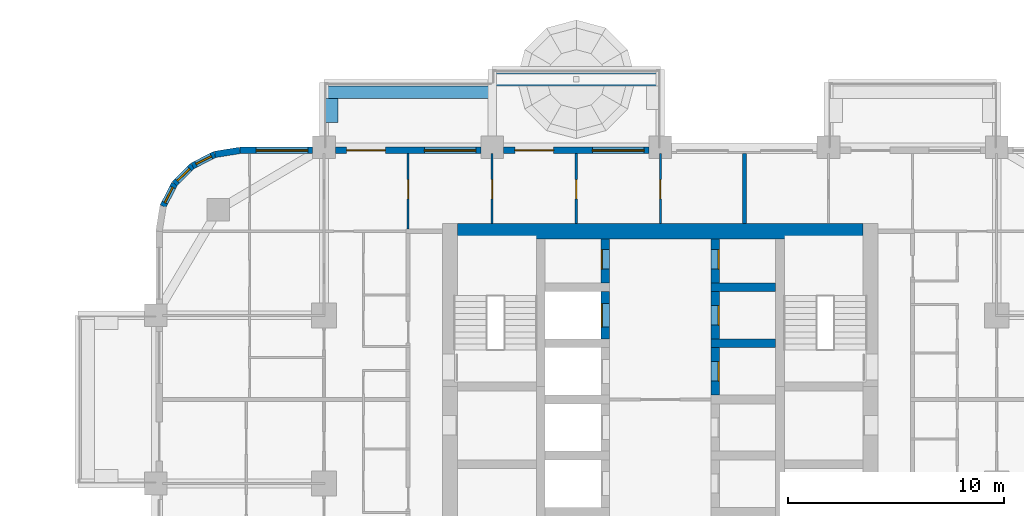
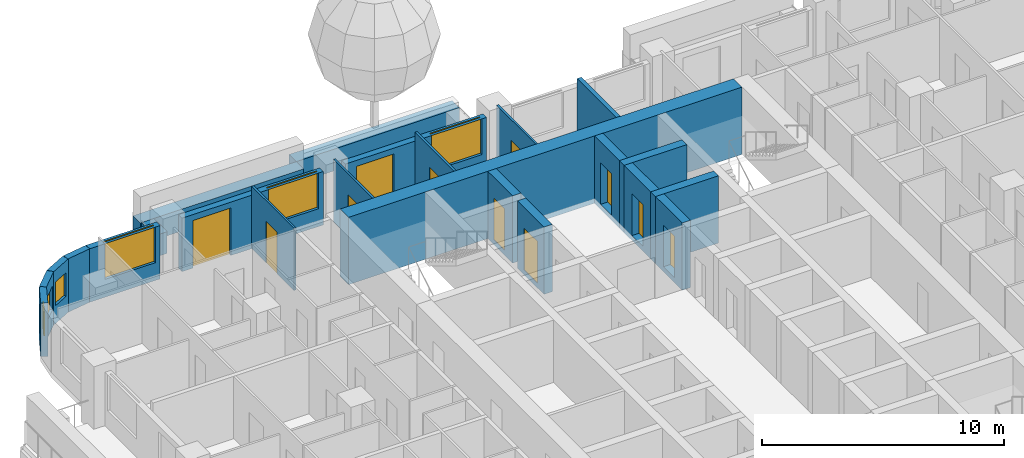
# One storey, part 11 of 18: 23 walls, 11 doors, 6 windows, 17 openings.
"""IFC4 building model written with IfcOpenShell, lengths in metres."""

from ifc_helpers import new_model, si_unit, direction, frame, frame_2d, origin, place, context, subcontext, project, spatial, rectangle, extrude, material, layer, layer_set, type_object, element, fill, save


model = new_model("IFC4")

# Units and contexts
model_context = context("Model", 3, precision=1e-05, world=origin(), true_north=direction((0.0, 1.0)))
body_context = subcontext(model_context, "Body", "Model", "MODEL_VIEW")
ifc_project = project(units=[si_unit("LENGTHUNIT", "METRE"), si_unit("AREAUNIT", "SQUARE_METRE"), si_unit("VOLUMEUNIT", "CUBIC_METRE"), si_unit("PLANEANGLEUNIT", "RADIAN"), si_unit("MASSUNIT", "GRAM", prefix="KILO")], contexts=[model_context])

# Site, building, storey
site_placement = place(None, origin())
site = spatial("IfcSite", under=ifc_project, at=site_placement, CompositionType="ELEMENT")
building_placement = place(site_placement, origin())
building = spatial("IfcBuilding", under=site, at=building_placement, Name="Ludao Terraces", CompositionType="ELEMENT")
storey_placement = place(building_placement, frame((0.0, 0.0, 26.300048828125)))
storey = spatial("IfcBuildingStorey", under=building, at=storey_placement, Name="L06", CompositionType="ELEMENT", Elevation=26.300048828125)

# Walls
ifc_material_1 = material(Name="Concrete C70", Category="concrete")
ifc_layer_1 = layer(ifc_material_1, 0.699951171875)
ifc_layer_set_1 = layer_set([ifc_layer_1], Name="Core wall 700 C70")
wall_type_1 = type_object("IfcWallType", Name="Core wall 700 C70", PredefinedType="SOLIDWALL", material=ifc_layer_set_1)
wall_1_placement = place(storey_placement, frame((75.60009765625, 84.5, -0.25), z_axis=(0.0, 0.0, 1.0), x_axis=(1.0, 0.0, 0.0)))
element("IfcWall", 1, at=wall_1_placement, inside=storey, type_object=wall_type_1, Name="Core wall L06 outer-N", PredefinedType="SOLIDWALL", context=body_context, shape_type="SweptSolid", body=[
    extrude(rectangle(XDim=18.7998046875, YDim=0.699951171875, at=frame_2d((9.39990234375, 0.0))), origin(), (0.0, 0.0, 1.0), 3.39990234375),
])
ifc_material_2 = material(Name="Concrete C40", Category="concrete")
ifc_layer_2 = layer(ifc_material_2, 0.60009765625)
ifc_layer_set_2 = layer_set([ifc_layer_2], Name="ENV Planter trough 600")
wall_type_2 = type_object("IfcWallType", Name="ENV Planter trough 600", PredefinedType="USERDEFINED", material=ifc_layer_set_2)
wall_2_placement = place(storey_placement, frame((69.39990234375, 90.949951171875, 0.0), z_axis=(0.0, 0.0, 1.0), x_axis=(1.0, 0.0, 0.0)))
element("IfcWall", 2, at=wall_2_placement, inside=storey, type_object=wall_type_2, Name="PL-L06-N1", ObjectType="PLANTER", PredefinedType="USERDEFINED", context=body_context, shape_type="SweptSolid", body=[
    extrude(rectangle(XDim=7.800048828125, YDim=0.60009765625, at=frame_2d((3.89990234375, 0.0))), origin(), (0.0, 0.0, 1.0), 1.099853515625),
])
wall_3_placement = place(storey_placement, frame((69.75, 90.64990234375, 0.0), z_axis=(0.0, 0.0, 1.0), x_axis=(0.0, -1.0, 0.0)))
element("IfcWall", 3, at=wall_3_placement, inside=storey, type_object=wall_type_2, Name="PL-L06-N1-SA", ObjectType="PLANTER", PredefinedType="USERDEFINED", context=body_context, shape_type="SweptSolid", body=[
    extrude(rectangle(XDim=1.099853515625, YDim=0.60009765625, at=frame_2d((0.5498046875, 0.0))), origin(), (0.0, 0.0, 1.0), 1.099853515625),
])
wall_4_placement = place(storey_placement, frame((77.199951171875, 91.550048828125, 0.0), z_axis=(0.0, 0.0, 1.0), x_axis=(1.0, 0.0, 0.0)))
element("IfcWall", 4, at=wall_4_placement, inside=storey, type_object=wall_type_2, Name="PL-L06-N2", ObjectType="PLANTER", PredefinedType="USERDEFINED", context=body_context, shape_type="SweptSolid", body=[
    extrude(rectangle(XDim=7.800048828125, YDim=0.60009765625, at=frame_2d((3.89990234375, 0.0))), origin(), (0.0, 0.0, 1.0), 1.099853515625),
])

# Wall, opening, window
ifc_material_3 = material(Name="Granite cladding", Category="masonry")
ifc_layer_3 = layer(ifc_material_3, 0.0400390625, Category="stone")
ifc_material_4 = material(Name="Mineral wool")
ifc_layer_4 = layer(ifc_material_4, 0.06005859375)
ifc_layer_5 = layer(ifc_material_2, 0.199951171875, Category="concrete")
ifc_layer_set_3 = layer_set([ifc_layer_3, ifc_layer_4, ifc_layer_5], Name="ENV Stone-clad wall 300")
wall_type_3 = type_object("IfcWallType", Name="ENV Stone-clad wall 300", PredefinedType="SOLIDWALL", material=ifc_layer_set_3)
wall_5_placement = place(storey_placement, frame((65.5, 88.25, 0.0), z_axis=(0.0, 0.0, 1.0), x_axis=(1.0, 0.0, 0.0)))
wall_5 = element("IfcWall", 5, at=wall_5_placement, inside=storey, type_object=wall_type_3, Name="EW-L06-N1", PredefinedType="SOLIDWALL", context=body_context, shape_type="SweptSolid", body=[
    extrude(rectangle(XDim=3.375, YDim=0.300048828125, at=frame_2d((1.6875, 0.0))), origin(), (0.0, 0.0, 1.0), 2.699951171875),
])
opening_1_placement = place(wall_5_placement, frame((0.75, 0.0, 0.89990234375)))
opening_1 = element("IfcOpeningElement", 6, at=opening_1_placement, cuts=wall_5, Name="Opening W1", PredefinedType="OPENING", context=body_context, shape_type="SweptSolid", body=[
    extrude(rectangle(XDim=2.39990234375, YDim=1.800048828125, at=frame_2d((1.199951171875, 0.89990234375))), frame((0.0, 0.16015625, 0.0), z_axis=(0.0, -1.0, 0.0), x_axis=(1.0, 0.0, 0.0)), (0.0, 0.0, 1.0), 0.320068359375),
])
ifc_material_5 = material(Name="Clear glass in aluminium frame", Category="aluminium")
ifc_layer_6 = layer(ifc_material_5, 0.06005859375)
ifc_layer_set_4 = layer_set([ifc_layer_6], Name="ENV Window W1 2400x1800")
window_type_1 = type_object("IfcWindowType", Name="ENV Window W1 2400x1800", PartitioningType="DOUBLE_PANEL_VERTICAL", PredefinedType="WINDOW", material=ifc_layer_set_4)
window_1_placement = place(opening_1_placement, origin())
window_1 = element("IfcWindow", 7, at=window_1_placement, inside=storey, type_object=window_type_1, Name="W-L06-N1-1", OverallHeight=1.800048828125, OverallWidth=2.39990234375, PartitioningType="DOUBLE_PANEL_VERTICAL", PredefinedType="WINDOW", context=body_context, shape_type="SweptSolid", body=[
    extrude(rectangle(XDim=2.39990234375, YDim=1.800048828125, at=frame_2d((1.199951171875, 0.89990234375))), frame((0.0, 0.030029296875, 0.0), z_axis=(0.0, -1.0, 0.0), x_axis=(1.0, 0.0, 0.0)), (0.0, 0.0, 1.0), 0.06005859375),
])
fill(opening_1, window_1)

# Wall, openings, door, window
wall_6_placement = place(storey_placement, frame((69.925048828125, 88.25, 0.0), z_axis=(0.0, 0.0, 1.0), x_axis=(1.0, 0.0, 0.0)))
wall_6 = element("IfcWall", 8, at=wall_6_placement, inside=storey, type_object=wall_type_3, Name="EW-L06-N2", PredefinedType="SOLIDWALL", context=body_context, shape_type="SweptSolid", body=[
    extrude(rectangle(XDim=6.75, YDim=0.300048828125, at=frame_2d((3.375, 0.0))), origin(), (0.0, 0.0, 1.0), 2.699951171875),
])
opening_2_placement = place(wall_6_placement, frame((0.52490234375, 0.0, 0.0)))
opening_2 = element("IfcOpeningElement", 9, at=opening_2_placement, cuts=wall_6, Name="Opening BD", PredefinedType="OPENING", context=body_context, shape_type="SweptSolid", body=[
    extrude(rectangle(XDim=1.800048828125, YDim=2.39990234375, at=frame_2d((0.89990234375, 1.199951171875))), frame((0.0, 0.16015625, 0.0), z_axis=(0.0, -1.0, 0.0), x_axis=(1.0, 0.0, 0.0)), (0.0, 0.0, 1.0), 0.320068359375),
])
opening_3_placement = place(wall_6_placement, frame((4.125, 0.0, 0.89990234375)))
opening_3 = element("IfcOpeningElement", 10, at=opening_3_placement, cuts=wall_6, Name="Opening W1", PredefinedType="OPENING", context=body_context, shape_type="SweptSolid", body=[
    extrude(rectangle(XDim=2.39990234375, YDim=1.800048828125, at=frame_2d((1.199951171875, 0.89990234375))), frame((0.0, 0.16015625, 0.0), z_axis=(0.0, -1.0, 0.0), x_axis=(1.0, 0.0, 0.0)), (0.0, 0.0, 1.0), 0.320068359375),
])
ifc_material_6 = material(Name="Aluminium glazed door", Category="aluminium")
ifc_layer_7 = layer(ifc_material_6, 0.06005859375)
ifc_layer_set_5 = layer_set([ifc_layer_7], Name="ENV Balcony door BD 1800x2400")
door_type_1 = type_object("IfcDoorType", Name="ENV Balcony door BD 1800x2400", OperationType="DOUBLE_DOOR_SINGLE_SWING", PredefinedType="DOOR", material=ifc_layer_set_5)
door_1_placement = place(opening_2_placement, origin())
door_1 = element("IfcDoor", 11, at=door_1_placement, inside=storey, type_object=door_type_1, Name="BD-L06-N2-1", OperationType="DOUBLE_DOOR_SINGLE_SWING", OverallHeight=2.39990234375, OverallWidth=1.800048828125, PredefinedType="DOOR", context=body_context, shape_type="SweptSolid", body=[
    extrude(rectangle(XDim=1.800048828125, YDim=2.39990234375, at=frame_2d((0.89990234375, 1.199951171875))), frame((0.0, 0.02490234375, 0.0), z_axis=(0.0, -1.0, 0.0), x_axis=(1.0, 0.0, 0.0)), (0.0, 0.0, 1.0), 0.050048828125),
])
fill(opening_2, door_1)
window_2_placement = place(opening_3_placement, origin())
window_2 = element("IfcWindow", 12, at=window_2_placement, inside=storey, type_object=window_type_1, Name="W-L06-N2-2", OverallHeight=1.800048828125, OverallWidth=2.39990234375, PartitioningType="DOUBLE_PANEL_VERTICAL", PredefinedType="WINDOW", context=body_context, shape_type="SweptSolid", body=[
    extrude(rectangle(XDim=2.39990234375, YDim=1.800048828125, at=frame_2d((1.199951171875, 0.89990234375))), frame((0.0, 0.030029296875, 0.0), z_axis=(0.0, -1.0, 0.0), x_axis=(1.0, 0.0, 0.0)), (0.0, 0.0, 1.0), 0.06005859375),
])
fill(opening_3, window_2)

wall_7_placement = place(storey_placement, frame((77.72509765625, 88.25, 0.0), z_axis=(0.0, 0.0, 1.0), x_axis=(1.0, 0.0, 0.0)))
wall_7 = element("IfcWall", 13, at=wall_7_placement, inside=storey, type_object=wall_type_3, Name="EW-L06-N3", PredefinedType="SOLIDWALL", context=body_context, shape_type="SweptSolid", body=[
    extrude(rectangle(XDim=6.75, YDim=0.300048828125, at=frame_2d((3.375, 0.0))), origin(), (0.0, 0.0, 1.0), 2.699951171875),
])
opening_4_placement = place(wall_7_placement, frame((0.52490234375, 0.0, 0.0)))
opening_4 = element("IfcOpeningElement", 14, at=opening_4_placement, cuts=wall_7, Name="Opening BD", PredefinedType="OPENING", context=body_context, shape_type="SweptSolid", body=[
    extrude(rectangle(XDim=1.800048828125, YDim=2.39990234375, at=frame_2d((0.89990234375, 1.199951171875))), frame((0.0, 0.16015625, 0.0), z_axis=(0.0, -1.0, 0.0), x_axis=(1.0, 0.0, 0.0)), (0.0, 0.0, 1.0), 0.320068359375),
])
opening_5_placement = place(wall_7_placement, frame((4.125, 0.0, 0.89990234375)))
opening_5 = element("IfcOpeningElement", 15, at=opening_5_placement, cuts=wall_7, Name="Opening W1", PredefinedType="OPENING", context=body_context, shape_type="SweptSolid", body=[
    extrude(rectangle(XDim=2.39990234375, YDim=1.800048828125, at=frame_2d((1.199951171875, 0.89990234375))), frame((0.0, 0.16015625, 0.0), z_axis=(0.0, -1.0, 0.0), x_axis=(1.0, 0.0, 0.0)), (0.0, 0.0, 1.0), 0.320068359375),
])
door_2_placement = place(opening_4_placement, origin())
door_2 = element("IfcDoor", 16, at=door_2_placement, inside=storey, type_object=door_type_1, Name="BD-L06-N3-1", OperationType="DOUBLE_DOOR_SINGLE_SWING", OverallHeight=2.39990234375, OverallWidth=1.800048828125, PredefinedType="DOOR", context=body_context, shape_type="SweptSolid", body=[
    extrude(rectangle(XDim=1.800048828125, YDim=2.39990234375, at=frame_2d((0.89990234375, 1.199951171875))), frame((0.0, 0.02490234375, 0.0), z_axis=(0.0, -1.0, 0.0), x_axis=(1.0, 0.0, 0.0)), (0.0, 0.0, 1.0), 0.050048828125),
])
fill(opening_4, door_2)
window_3_placement = place(opening_5_placement, origin())
window_3 = element("IfcWindow", 17, at=window_3_placement, inside=storey, type_object=window_type_1, Name="W-L06-N3-2", OverallHeight=1.800048828125, OverallWidth=2.39990234375, PartitioningType="DOUBLE_PANEL_VERTICAL", PredefinedType="WINDOW", context=body_context, shape_type="SweptSolid", body=[
    extrude(rectangle(XDim=2.39990234375, YDim=1.800048828125, at=frame_2d((1.199951171875, 0.89990234375))), frame((0.0, 0.030029296875, 0.0), z_axis=(0.0, -1.0, 0.0), x_axis=(1.0, 0.0, 0.0)), (0.0, 0.0, 1.0), 0.06005859375),
])
fill(opening_5, window_3)

# Wall
wall_8_placement = place(storey_placement, frame((65.5, 88.25, 0.0), z_axis=(0.0, 0.0, 1.0), x_axis=(-0.987678452879, -0.156496880861, 0.0)))
element("IfcWall", 18, at=wall_8_placement, inside=storey, type_object=wall_type_3, Name="EW-L06-NW1", PredefinedType="SOLIDWALL", context=body_context, shape_type="SweptSolid", body=[
    extrude(rectangle(XDim=1.173095703125, YDim=0.300048828125, at=frame_2d((0.58642578125, 0.0))), origin(), (0.0, 0.0, 1.0), 2.699951171875),
])

# Wall, opening, window
wall_9_placement = place(storey_placement, frame((64.34130859375, 88.06640625, 0.0), z_axis=(0.0, 0.0, 1.0), x_axis=(-0.890988677504, -0.454025524128, 0.0)))
wall_9 = element("IfcWall", 19, at=wall_9_placement, inside=storey, type_object=wall_type_3, Name="EW-L06-NW2", PredefinedType="SOLIDWALL", context=body_context, shape_type="SweptSolid", body=[
    extrude(rectangle(XDim=1.17333984375, YDim=0.300048828125, at=frame_2d((0.586669921875, 0.0))), origin(), (0.0, 0.0, 1.0), 2.699951171875),
])
opening_6_placement = place(wall_9_placement, frame((0.1865234375, 0.0, 0.89990234375)))
opening_6 = element("IfcOpeningElement", 20, at=opening_6_placement, cuts=wall_9, Name="Opening W3", PredefinedType="OPENING", context=body_context, shape_type="SweptSolid", body=[
    extrude(rectangle(XDim=0.800048828125, YDim=1.199951171875, at=frame_2d((0.39990234375, 0.60009765625))), frame((0.0, 0.16015625, 0.0), z_axis=(0.0, -1.0, 0.0), x_axis=(1.0, 0.0, 0.0)), (0.0, 0.0, 1.0), 0.320068359375),
])
ifc_layer_8 = layer(ifc_material_5, 0.06005859375)
ifc_layer_set_6 = layer_set([ifc_layer_8], Name="ENV Window W3 800x1200")
window_type_2 = type_object("IfcWindowType", Name="ENV Window W3 800x1200", PartitioningType="SINGLE_PANEL", PredefinedType="WINDOW", material=ifc_layer_set_6)
window_4_placement = place(opening_6_placement, origin())
window_4 = element("IfcWindow", 21, at=window_4_placement, inside=storey, type_object=window_type_2, Name="W-L06-NW2", OverallHeight=1.199951171875, OverallWidth=0.800048828125, PartitioningType="SINGLE_PANEL", PredefinedType="WINDOW", context=body_context, shape_type="SweptSolid", body=[
    extrude(rectangle(XDim=0.800048828125, YDim=1.199951171875, at=frame_2d((0.39990234375, 0.60009765625))), frame((0.0, 0.030029296875, 0.0), z_axis=(0.0, -1.0, 0.0), x_axis=(1.0, 0.0, 0.0)), (0.0, 0.0, 1.0), 0.06005859375),
])
fill(opening_6, window_4)

wall_10_placement = place(storey_placement, frame((63.2958984375, 87.53369140625, 0.0), z_axis=(0.0, 0.0, 1.0), x_axis=(-0.707106781187, -0.707106781187, 0.0)))
wall_10 = element("IfcWall", 22, at=wall_10_placement, inside=storey, type_object=wall_type_3, Name="EW-L06-NW3", PredefinedType="SOLIDWALL", context=body_context, shape_type="SweptSolid", body=[
    extrude(rectangle(XDim=1.173095703125, YDim=0.300048828125, at=frame_2d((0.58642578125, 0.0))), origin(), (0.0, 0.0, 1.0), 2.699951171875),
])
opening_7_placement = place(wall_10_placement, frame((0.1865234375, 0.0, 0.89990234375)))
opening_7 = element("IfcOpeningElement", 23, at=opening_7_placement, cuts=wall_10, Name="Opening W3", PredefinedType="OPENING", context=body_context, shape_type="SweptSolid", body=[
    extrude(rectangle(XDim=0.800048828125, YDim=1.199951171875, at=frame_2d((0.39990234375, 0.60009765625))), frame((0.0, 0.16015625, 0.0), z_axis=(0.0, -1.0, 0.0), x_axis=(1.0, 0.0, 0.0)), (0.0, 0.0, 1.0), 0.320068359375),
])
window_5_placement = place(opening_7_placement, origin())
window_5 = element("IfcWindow", 24, at=window_5_placement, inside=storey, type_object=window_type_2, Name="W-L06-NW3", OverallHeight=1.199951171875, OverallWidth=0.800048828125, PartitioningType="SINGLE_PANEL", PredefinedType="WINDOW", context=body_context, shape_type="SweptSolid", body=[
    extrude(rectangle(XDim=0.800048828125, YDim=1.199951171875, at=frame_2d((0.39990234375, 0.60009765625))), frame((0.0, 0.030029296875, 0.0), z_axis=(0.0, -1.0, 0.0), x_axis=(1.0, 0.0, 0.0)), (0.0, 0.0, 1.0), 0.06005859375),
])
fill(opening_7, window_5)

wall_11_placement = place(storey_placement, frame((62.46630859375, 86.7041015625, 0.0), z_axis=(0.0, 0.0, 1.0), x_axis=(-0.454025524128, -0.890988677504, 0.0)))
wall_11 = element("IfcWall", 25, at=wall_11_placement, inside=storey, type_object=wall_type_3, Name="EW-L06-NW4", PredefinedType="SOLIDWALL", context=body_context, shape_type="SweptSolid", body=[
    extrude(rectangle(XDim=1.17333984375, YDim=0.300048828125, at=frame_2d((0.586669921875, 0.0))), origin(), (0.0, 0.0, 1.0), 2.699951171875),
])
opening_8_placement = place(wall_11_placement, frame((0.1865234375, 0.0, 0.89990234375)))
opening_8 = element("IfcOpeningElement", 26, at=opening_8_placement, cuts=wall_11, Name="Opening W3", PredefinedType="OPENING", context=body_context, shape_type="SweptSolid", body=[
    extrude(rectangle(XDim=0.800048828125, YDim=1.199951171875, at=frame_2d((0.39990234375, 0.60009765625))), frame((0.0, 0.16015625, 0.0), z_axis=(0.0, -1.0, 0.0), x_axis=(1.0, 0.0, 0.0)), (0.0, 0.0, 1.0), 0.320068359375),
])
window_6_placement = place(opening_8_placement, origin())
window_6 = element("IfcWindow", 27, at=window_6_placement, inside=storey, type_object=window_type_2, Name="W-L06-NW4", OverallHeight=1.199951171875, OverallWidth=0.800048828125, PartitioningType="SINGLE_PANEL", PredefinedType="WINDOW", context=body_context, shape_type="SweptSolid", body=[
    extrude(rectangle(XDim=0.800048828125, YDim=1.199951171875, at=frame_2d((0.39990234375, 0.60009765625))), frame((0.0, 0.030029296875, 0.0), z_axis=(0.0, -1.0, 0.0), x_axis=(1.0, 0.0, 0.0)), (0.0, 0.0, 1.0), 0.06005859375),
])
fill(opening_8, window_6)

# Wall, opening, door
ifc_material_7 = material(Name="Gypsum plasterboard", Category="gypsum")
ifc_layer_9 = layer(ifc_material_7, 0.012451171875, Category="gypsum")
ifc_layer_10 = layer(ifc_material_4, 0.06005859375, Name="insulation")
ifc_material_8 = material(Name="Steel Q235", Category="steel")
ifc_layer_11 = layer(ifc_material_8, 0.014892578125, Name="stud")
ifc_layer_12 = layer(ifc_material_7, 0.012451171875, Category="gypsum")
ifc_layer_set_7 = layer_set([ifc_layer_9, ifc_layer_10, ifc_layer_11, ifc_layer_12], Name="INT Partition 100")
wall_type_4 = type_object("IfcWallType", Name="INT Partition 100", PredefinedType="PARTITIONING", material=ifc_layer_set_7)
wall_12_placement = place(storey_placement, frame((73.300048828125, 84.60009765625, 0.0), z_axis=(0.0, 0.0, 1.0), x_axis=(0.0, 1.0, 0.0)))
wall_12 = element("IfcWall", 28, at=wall_12_placement, inside=storey, type_object=wall_type_4, Name="PW-L06-PW085", PredefinedType="PARTITIONING", context=body_context, shape_type="SweptSolid", body=[
    extrude(rectangle(XDim=3.5, YDim=0.10009765625, at=frame_2d((1.75, 0.0))), origin(), (0.0, 0.0, 1.0), 3.14990234375),
])
opening_9_placement = place(wall_12_placement, frame((1.39990234375, 0.0, 0.0)))
opening_9 = element("IfcOpeningElement", 29, at=opening_9_placement, cuts=wall_12, Name="Opening R01-151", PredefinedType="OPENING", context=body_context, shape_type="SweptSolid", body=[
    extrude(rectangle(XDim=0.89990234375, YDim=2.10009765625, at=frame_2d((0.449951171875, 1.050048828125))), frame((0.0, 0.06005859375, 0.0), z_axis=(0.0, -1.0, 0.0), x_axis=(1.0, 0.0, 0.0)), (0.0, 0.0, 1.0), 0.1201171875),
])
ifc_material_9 = material(Name="Timber door leaf", Category="wood")
door_type_2 = type_object("IfcDoorType", Name="INT Room door 900", OperationType="SINGLE_SWING_LEFT", PredefinedType="DOOR", material=ifc_material_9)
door_3_placement = place(opening_9_placement, origin())
door_3 = element("IfcDoor", 30, at=door_3_placement, inside=storey, type_object=door_type_2, Name="DOOR 151", OperationType="SINGLE_SWING_LEFT", OverallHeight=2.10009765625, OverallWidth=0.89990234375, PredefinedType="DOOR", context=body_context, shape_type="SweptSolid", body=[
    extrude(rectangle(XDim=0.89990234375, YDim=2.10009765625, at=frame_2d((0.449951171875, 1.050048828125))), frame((0.0, 0.02490234375, 0.0), z_axis=(0.0, -1.0, 0.0), x_axis=(1.0, 0.0, 0.0)), (0.0, 0.0, 1.0), 0.050048828125),
])
fill(opening_9, door_3)

wall_13_placement = place(storey_placement, frame((77.199951171875, 84.85009765625, 0.0), z_axis=(0.0, 0.0, 1.0), x_axis=(0.0, 1.0, 0.0)))
wall_13 = element("IfcWall", 31, at=wall_13_placement, inside=storey, type_object=wall_type_4, Name="PW-L06-PW089", PredefinedType="PARTITIONING", context=body_context, shape_type="SweptSolid", body=[
    extrude(rectangle(XDim=3.25, YDim=0.10009765625, at=frame_2d((1.625, 0.0))), origin(), (0.0, 0.0, 1.0), 3.14990234375),
])
opening_10_placement = place(wall_13_placement, frame((1.14990234375, 0.0, 0.0)))
opening_10 = element("IfcOpeningElement", 32, at=opening_10_placement, cuts=wall_13, Name="Opening R01-152", PredefinedType="OPENING", context=body_context, shape_type="SweptSolid", body=[
    extrude(rectangle(XDim=0.89990234375, YDim=2.10009765625, at=frame_2d((0.449951171875, 1.050048828125))), frame((0.0, 0.06005859375, 0.0), z_axis=(0.0, -1.0, 0.0), x_axis=(1.0, 0.0, 0.0)), (0.0, 0.0, 1.0), 0.1201171875),
])
door_4_placement = place(opening_10_placement, origin())
door_4 = element("IfcDoor", 33, at=door_4_placement, inside=storey, type_object=door_type_2, Name="DOOR 152", OperationType="SINGLE_SWING_RIGHT", OverallHeight=2.10009765625, OverallWidth=0.89990234375, PredefinedType="DOOR", context=body_context, shape_type="SweptSolid", body=[
    extrude(rectangle(XDim=0.89990234375, YDim=2.10009765625, at=frame_2d((0.449951171875, 1.050048828125))), frame((0.0, 0.02490234375, 0.0), z_axis=(0.0, -1.0, 0.0), x_axis=(1.0, 0.0, 0.0)), (0.0, 0.0, 1.0), 0.050048828125),
])
fill(opening_10, door_4)

wall_14_placement = place(storey_placement, frame((81.10009765625, 84.85009765625, 0.0), z_axis=(0.0, 0.0, 1.0), x_axis=(0.0, 1.0, 0.0)))
wall_14 = element("IfcWall", 34, at=wall_14_placement, inside=storey, type_object=wall_type_4, Name="PW-L06-PW093", PredefinedType="PARTITIONING", context=body_context, shape_type="SweptSolid", body=[
    extrude(rectangle(XDim=3.25, YDim=0.10009765625, at=frame_2d((1.625, 0.0))), origin(), (0.0, 0.0, 1.0), 3.14990234375),
])
opening_11_placement = place(wall_14_placement, frame((1.14990234375, 0.0, 0.0)))
opening_11 = element("IfcOpeningElement", 35, at=opening_11_placement, cuts=wall_14, Name="Opening R01-153", PredefinedType="OPENING", context=body_context, shape_type="SweptSolid", body=[
    extrude(rectangle(XDim=0.89990234375, YDim=2.10009765625, at=frame_2d((0.449951171875, 1.050048828125))), frame((0.0, 0.06005859375, 0.0), z_axis=(0.0, -1.0, 0.0), x_axis=(1.0, 0.0, 0.0)), (0.0, 0.0, 1.0), 0.1201171875),
])
door_5_placement = place(opening_11_placement, origin())
door_5 = element("IfcDoor", 36, at=door_5_placement, inside=storey, type_object=door_type_2, Name="DOOR 153", OperationType="SINGLE_SWING_RIGHT", OverallHeight=2.10009765625, OverallWidth=0.89990234375, PredefinedType="DOOR", context=body_context, shape_type="SweptSolid", body=[
    extrude(rectangle(XDim=0.89990234375, YDim=2.10009765625, at=frame_2d((0.449951171875, 1.050048828125))), frame((0.0, 0.02490234375, 0.0), z_axis=(0.0, -1.0, 0.0), x_axis=(1.0, 0.0, 0.0)), (0.0, 0.0, 1.0), 0.050048828125),
])
fill(opening_11, door_5)

wall_15_placement = place(storey_placement, frame((85.0, 84.85009765625, 0.0), z_axis=(0.0, 0.0, 1.0), x_axis=(0.0, 1.0, 0.0)))
wall_15 = element("IfcWall", 37, at=wall_15_placement, inside=storey, type_object=wall_type_4, Name="PW-L06-PW097", PredefinedType="PARTITIONING", context=body_context, shape_type="SweptSolid", body=[
    extrude(rectangle(XDim=3.25, YDim=0.10009765625, at=frame_2d((1.625, 0.0))), origin(), (0.0, 0.0, 1.0), 3.14990234375),
])
opening_12_placement = place(wall_15_placement, frame((1.14990234375, 0.0, 0.0)))
opening_12 = element("IfcOpeningElement", 38, at=opening_12_placement, cuts=wall_15, Name="Opening R01-154", PredefinedType="OPENING", context=body_context, shape_type="SweptSolid", body=[
    extrude(rectangle(XDim=0.89990234375, YDim=2.10009765625, at=frame_2d((0.449951171875, 1.050048828125))), frame((0.0, 0.06005859375, 0.0), z_axis=(0.0, -1.0, 0.0), x_axis=(1.0, 0.0, 0.0)), (0.0, 0.0, 1.0), 0.1201171875),
])
door_6_placement = place(opening_12_placement, origin())
door_6 = element("IfcDoor", 39, at=door_6_placement, inside=storey, type_object=door_type_2, Name="DOOR 154", OperationType="SINGLE_SWING_RIGHT", OverallHeight=2.10009765625, OverallWidth=0.89990234375, PredefinedType="DOOR", context=body_context, shape_type="SweptSolid", body=[
    extrude(rectangle(XDim=0.89990234375, YDim=2.10009765625, at=frame_2d((0.449951171875, 1.050048828125))), frame((0.0, 0.02490234375, 0.0), z_axis=(0.0, -1.0, 0.0), x_axis=(1.0, 0.0, 0.0)), (0.0, 0.0, 1.0), 0.050048828125),
])
fill(opening_12, door_6)

# Wall
ifc_material_10 = material(Name="Autoclaved aerated concrete block B06 A3.5", Category="concrete")
ifc_layer_13 = layer(ifc_material_10, 0.199951171875)
ifc_layer_set_8 = layer_set([ifc_layer_13], Name="INT Party wall 200")
wall_type_5 = type_object("IfcWallType", Name="INT Party wall 200", PredefinedType="PARTITIONING", material=ifc_layer_set_8)
wall_16_placement = place(storey_placement, frame((88.89990234375, 84.85009765625, 0.0), z_axis=(0.0, 0.0, 1.0), x_axis=(0.0, 1.0, 0.0)))
element("IfcWall", 40, at=wall_16_placement, inside=storey, type_object=wall_type_5, Name="PW-L06-PW102", PredefinedType="PARTITIONING", context=body_context, shape_type="SweptSolid", body=[
    extrude(rectangle(XDim=3.25, YDim=0.199951171875, at=frame_2d((1.625, 0.0))), origin(), (0.0, 0.0, 1.0), 3.14990234375),
])

# Wall, opening, door
ifc_material_11 = material(Name="Concrete C60", Category="concrete")
ifc_layer_14 = layer(ifc_material_11, 0.39990234375)
ifc_layer_set_9 = layer_set([ifc_layer_14], Name="Shaft wall 400 C60")
wall_type_6 = type_object("IfcWallType", Name="Shaft wall 400 C60", PredefinedType="SOLIDWALL", material=ifc_layer_set_9)
wall_17_placement = place(storey_placement, frame((82.449951171875, 79.5, -0.25), z_axis=(0.0, 0.0, 1.0), x_axis=(0.0, 1.0, 0.0)))
wall_17 = element("IfcWall", 41, at=wall_17_placement, inside=storey, type_object=wall_type_6, Name="Core wall L06 front-W8", PredefinedType="SOLIDWALL", context=body_context, shape_type="SweptSolid", body=[
    extrude(rectangle(XDim=2.199951171875, YDim=0.39990234375, at=frame_2d((1.10009765625, 0.0))), origin(), (0.0, 0.0, 1.0), 3.39990234375),
])
opening_13_placement = place(wall_17_placement, frame((0.550048828125, 0.0, 0.25)))
opening_13 = element("IfcOpeningElement", 42, at=opening_13_placement, cuts=wall_17, Name="Opening LD-FF2", PredefinedType="OPENING", context=body_context, shape_type="SweptSolid", body=[
    extrude(rectangle(XDim=1.10009765625, YDim=2.10009765625, at=frame_2d((0.550048828125, 1.050048828125))), frame((0.0, 0.2099609375, 0.0), z_axis=(0.0, -1.0, 0.0), x_axis=(1.0, 0.0, 0.0)), (0.0, 0.0, 1.0), 0.419921875),
])
ifc_material_12 = material(Name="Stainless steel 304", Category="steel")
door_type_3 = type_object("IfcDoorType", Name="INT Lift landing door 1100", OperationType="SLIDING_TO_LEFT", PredefinedType="DOOR", material=ifc_material_12)
door_7_placement = place(opening_13_placement, origin())
door_7 = element("IfcDoor", 43, at=door_7_placement, inside=storey, type_object=door_type_3, Name="LANDING DOOR FF2 L06", OperationType="SLIDING_TO_LEFT", OverallHeight=2.10009765625, OverallWidth=1.10009765625, PredefinedType="DOOR", context=body_context, shape_type="SweptSolid", body=[
    extrude(rectangle(XDim=1.10009765625, YDim=2.10009765625, at=frame_2d((0.550048828125, 1.050048828125))), frame((0.0, 0.18505859375, 0.0), z_axis=(0.0, -1.0, 0.0), x_axis=(1.0, 0.0, 0.0)), (0.0, 0.0, 1.0), 0.050048828125),
])
fill(opening_13, door_7)

wall_18_placement = place(storey_placement, frame((82.449951171875, 82.10009765625, -0.25), z_axis=(0.0, 0.0, 1.0), x_axis=(0.0, 1.0, 0.0)))
wall_18 = element("IfcWall", 44, at=wall_18_placement, inside=storey, type_object=wall_type_6, Name="Core wall L06 front-W9", PredefinedType="SOLIDWALL", context=body_context, shape_type="SweptSolid", body=[
    extrude(rectangle(XDim=2.0498046875, YDim=0.39990234375, at=frame_2d((1.02490234375, 0.0))), origin(), (0.0, 0.0, 1.0), 3.39990234375),
])
opening_14_placement = place(wall_18_placement, frame((0.64990234375, 0.0, 0.25)))
opening_14 = element("IfcOpeningElement", 45, at=opening_14_placement, cuts=wall_18, Name="Opening R01-144", PredefinedType="OPENING", context=body_context, shape_type="SweptSolid", body=[
    extrude(rectangle(XDim=0.89990234375, YDim=2.10009765625, at=frame_2d((0.449951171875, 1.050048828125))), frame((0.0, 0.2099609375, 0.0), z_axis=(0.0, -1.0, 0.0), x_axis=(1.0, 0.0, 0.0)), (0.0, 0.0, 1.0), 0.419921875),
])
door_8_placement = place(opening_14_placement, origin())
door_8 = element("IfcDoor", 46, at=door_8_placement, inside=storey, type_object=door_type_2, Name="DOOR 144", OperationType="SINGLE_SWING_RIGHT", OverallHeight=2.10009765625, OverallWidth=0.89990234375, PredefinedType="DOOR", context=body_context, shape_type="SweptSolid", body=[
    extrude(rectangle(XDim=0.89990234375, YDim=2.10009765625, at=frame_2d((0.449951171875, 1.050048828125))), frame((0.0, 0.18505859375, 0.0), z_axis=(0.0, -1.0, 0.0), x_axis=(1.0, 0.0, 0.0)), (0.0, 0.0, 1.0), 0.050048828125),
])
fill(opening_14, door_8)

wall_19_placement = place(storey_placement, frame((87.550048828125, 76.89990234375, -0.25), z_axis=(0.0, 0.0, 1.0), x_axis=(0.0, 1.0, 0.0)))
wall_19 = element("IfcWall", 47, at=wall_19_placement, inside=storey, type_object=wall_type_6, Name="Core wall L06 front-E7", PredefinedType="SOLIDWALL", context=body_context, shape_type="SweptSolid", body=[
    extrude(rectangle(XDim=2.2001953125, YDim=0.39990234375, at=frame_2d((1.10009765625, 0.0))), origin(), (0.0, 0.0, 1.0), 3.39990234375),
])
opening_15_placement = place(wall_19_placement, frame((0.64990234375, 0.0, 0.25)))
opening_15 = element("IfcOpeningElement", 48, at=opening_15_placement, cuts=wall_19, Name="Opening R01-126", PredefinedType="OPENING", context=body_context, shape_type="SweptSolid", body=[
    extrude(rectangle(XDim=0.89990234375, YDim=2.10009765625, at=frame_2d((0.449951171875, 1.050048828125))), frame((0.0, 0.2099609375, 0.0), z_axis=(0.0, -1.0, 0.0), x_axis=(1.0, 0.0, 0.0)), (0.0, 0.0, 1.0), 0.419921875),
])
door_9_placement = place(opening_15_placement, origin())
door_9 = element("IfcDoor", 49, at=door_9_placement, inside=storey, type_object=door_type_2, Name="DOOR 126", OperationType="SINGLE_SWING_RIGHT", OverallHeight=2.10009765625, OverallWidth=0.89990234375, PredefinedType="DOOR", context=body_context, shape_type="SweptSolid", body=[
    extrude(rectangle(XDim=0.89990234375, YDim=2.10009765625, at=frame_2d((0.449951171875, 1.050048828125))), frame((0.0, -0.134765625, 0.0), z_axis=(0.0, -1.0, 0.0), x_axis=(1.0, 0.0, 0.0)), (0.0, 0.0, 1.0), 0.050048828125),
])
fill(opening_15, door_9)

# Wall
wall_20_placement = place(storey_placement, frame((87.35009765625, 79.300048828125, -0.25), z_axis=(0.0, 0.0, 1.0), x_axis=(1.0, 0.0, 0.0)))
element("IfcWall", 50, at=wall_20_placement, inside=storey, type_object=wall_type_6, Name="Core wall L06 div-E8", PredefinedType="SOLIDWALL", context=body_context, shape_type="SweptSolid", body=[
    extrude(rectangle(XDim=3.0, YDim=0.39990234375, at=frame_2d((1.5, 0.0))), origin(), (0.0, 0.0, 1.0), 3.39990234375),
])

# Wall, opening, door
wall_21_placement = place(storey_placement, frame((87.550048828125, 79.5, -0.25), z_axis=(0.0, 0.0, 1.0), x_axis=(0.0, 1.0, 0.0)))
wall_21 = element("IfcWall", 51, at=wall_21_placement, inside=storey, type_object=wall_type_6, Name="Core wall L06 front-E8", PredefinedType="SOLIDWALL", context=body_context, shape_type="SweptSolid", body=[
    extrude(rectangle(XDim=2.199951171875, YDim=0.39990234375, at=frame_2d((1.10009765625, 0.0))), origin(), (0.0, 0.0, 1.0), 3.39990234375),
])
opening_16_placement = place(wall_21_placement, frame((0.64990234375, 0.0, 0.25)))
opening_16 = element("IfcOpeningElement", 52, at=opening_16_placement, cuts=wall_21, Name="Opening R01-137", PredefinedType="OPENING", context=body_context, shape_type="SweptSolid", body=[
    extrude(rectangle(XDim=0.89990234375, YDim=2.10009765625, at=frame_2d((0.449951171875, 1.050048828125))), frame((0.0, 0.2099609375, 0.0), z_axis=(0.0, -1.0, 0.0), x_axis=(1.0, 0.0, 0.0)), (0.0, 0.0, 1.0), 0.419921875),
])
door_10_placement = place(opening_16_placement, origin())
door_10 = element("IfcDoor", 53, at=door_10_placement, inside=storey, type_object=door_type_2, Name="DOOR 137", OperationType="SINGLE_SWING_RIGHT", OverallHeight=2.10009765625, OverallWidth=0.89990234375, PredefinedType="DOOR", context=body_context, shape_type="SweptSolid", body=[
    extrude(rectangle(XDim=0.89990234375, YDim=2.10009765625, at=frame_2d((0.449951171875, 1.050048828125))), frame((0.0, -0.134765625, 0.0), z_axis=(0.0, -1.0, 0.0), x_axis=(1.0, 0.0, 0.0)), (0.0, 0.0, 1.0), 0.050048828125),
])
fill(opening_16, door_10)

# Wall
wall_22_placement = place(storey_placement, frame((87.35009765625, 81.89990234375, -0.25), z_axis=(0.0, 0.0, 1.0), x_axis=(1.0, 0.0, 0.0)))
element("IfcWall", 54, at=wall_22_placement, inside=storey, type_object=wall_type_6, Name="Core wall L06 div-E9", PredefinedType="SOLIDWALL", context=body_context, shape_type="SweptSolid", body=[
    extrude(rectangle(XDim=3.0, YDim=0.39990234375, at=frame_2d((1.5, 0.0))), origin(), (0.0, 0.0, 1.0), 3.39990234375),
])

# Wall, opening, door
wall_23_placement = place(storey_placement, frame((87.550048828125, 82.10009765625, -0.25), z_axis=(0.0, 0.0, 1.0), x_axis=(0.0, 1.0, 0.0)))
wall_23 = element("IfcWall", 55, at=wall_23_placement, inside=storey, type_object=wall_type_6, Name="Core wall L06 front-E9", PredefinedType="SOLIDWALL", context=body_context, shape_type="SweptSolid", body=[
    extrude(rectangle(XDim=2.0498046875, YDim=0.39990234375, at=frame_2d((1.02490234375, 0.0))), origin(), (0.0, 0.0, 1.0), 3.39990234375),
])
opening_17_placement = place(wall_23_placement, frame((0.64990234375, 0.0, 0.25)))
opening_17 = element("IfcOpeningElement", 56, at=opening_17_placement, cuts=wall_23, Name="Opening R01-145", PredefinedType="OPENING", context=body_context, shape_type="SweptSolid", body=[
    extrude(rectangle(XDim=0.89990234375, YDim=2.10009765625, at=frame_2d((0.449951171875, 1.050048828125))), frame((0.0, 0.2099609375, 0.0), z_axis=(0.0, -1.0, 0.0), x_axis=(1.0, 0.0, 0.0)), (0.0, 0.0, 1.0), 0.419921875),
])
door_11_placement = place(opening_17_placement, origin())
door_11 = element("IfcDoor", 57, at=door_11_placement, inside=storey, type_object=door_type_2, Name="DOOR 145", OperationType="SINGLE_SWING_LEFT", OverallHeight=2.10009765625, OverallWidth=0.89990234375, PredefinedType="DOOR", context=body_context, shape_type="SweptSolid", body=[
    extrude(rectangle(XDim=0.89990234375, YDim=2.10009765625, at=frame_2d((0.449951171875, 1.050048828125))), frame((0.0, -0.134765625, 0.0), z_axis=(0.0, -1.0, 0.0), x_axis=(1.0, 0.0, 0.0)), (0.0, 0.0, 1.0), 0.050048828125),
])
fill(opening_17, door_11)

save(model, "model.ifc")
